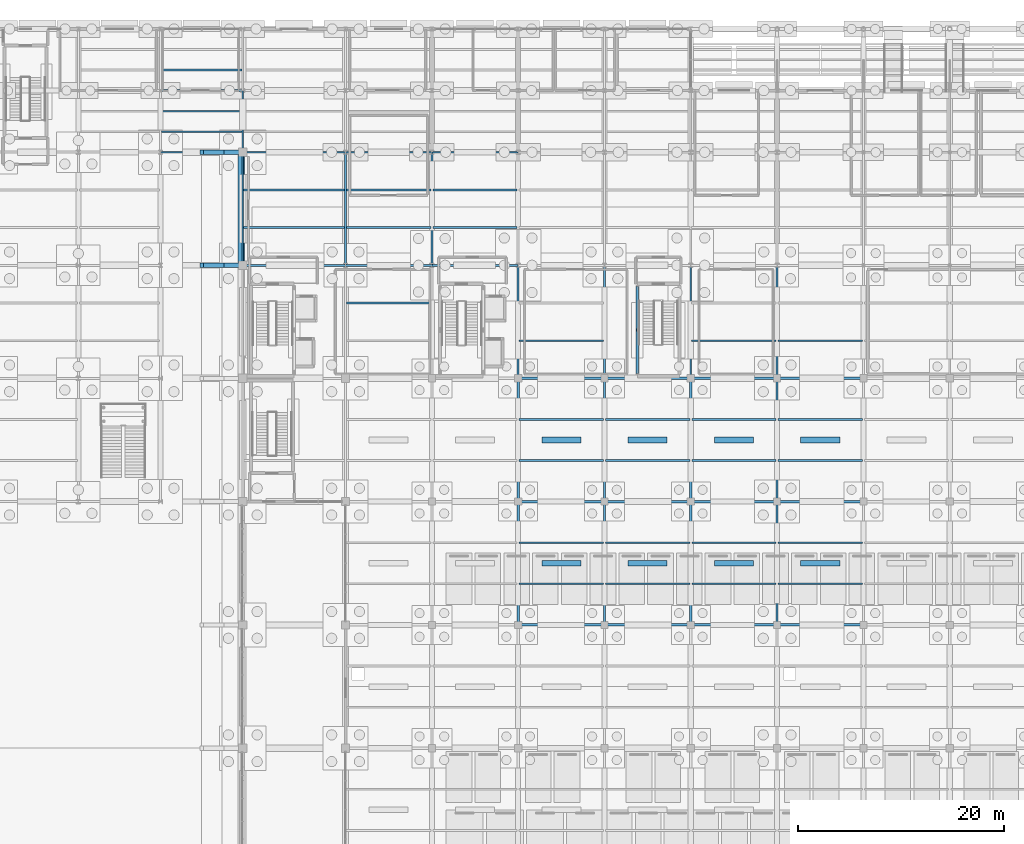
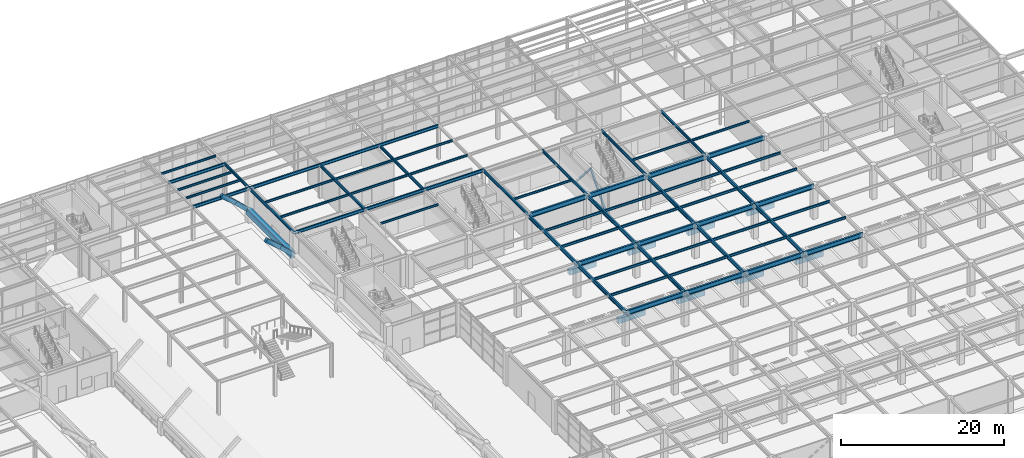
# One storey, part 60 of 129: 78 beams, 2 members.
"""IFC4 building model written with IfcOpenShell, lengths in metres."""

from ifc_helpers import new_model, si_unit, direction, frame, origin, origin_2d, place, context, subcontext, project, spatial, rectangle, hollow_rectangle, i_section, extrude, material, material_profile, profile_set, type_object, element, save


model = new_model("IFC4")

# Units and contexts
model_context = context("Model", 3, precision=1e-05, world=origin(), true_north=direction((0.0, 1.0)))
body_context = subcontext(model_context, "Body", "Model", "MODEL_VIEW")
ifc_project = project(units=[si_unit("LENGTHUNIT", "METRE"), si_unit("AREAUNIT", "SQUARE_METRE"), si_unit("VOLUMEUNIT", "CUBIC_METRE"), si_unit("PLANEANGLEUNIT", "RADIAN"), si_unit("MASSUNIT", "GRAM", prefix="KILO")], contexts=[model_context])

# Site, building, storey
site_placement = place(None, origin())
site = spatial("IfcSite", under=ifc_project, at=site_placement, CompositionType="ELEMENT")
building_placement = place(site_placement, origin())
building = spatial("IfcBuilding", under=site, at=building_placement, Name="Sitalva Quay Ferry Terminal", CompositionType="ELEMENT")
storey_placement = place(building_placement, origin())
storey = spatial("IfcBuildingStorey", under=building, at=storey_placement, Name="L01", CompositionType="ELEMENT", Elevation=0.0)

# Beams
ifc_material_1 = material(Name="Concrete C40/50", Category="concrete")
ifc_material_profile_1 = material_profile(ifc_material_1, rectangle(XDim=0.39990234375, YDim=0.550048828125, at=origin_2d()), Name="RC400x550")
ifc_profile_set_1 = profile_set([ifc_material_profile_1], Name="Concrete C40/50")
beam_type_1 = type_object("IfcBeamType", Name="Beam_Arch_RC400x550", PredefinedType="BEAM", material=ifc_profile_set_1)
beam_1_placement = place(storey_placement, frame((70.0, 89.0, 5.219482421875), z_axis=(0.760297282494, 0.0, -0.649575278342), x_axis=(0.0, 1.0, 0.0)))
element("IfcBeam", 1, at=beam_1_placement, inside=storey, type_object=beam_type_1, Name="Vault V1 transverse arch rib 8.15", PredefinedType="BEAM", context=body_context, shape_type="SweptSolid", body=[
    extrude(rectangle(XDim=0.39990234375, YDim=0.550048828125, at=origin_2d()), origin(), (0.0, 0.0, 1.0), 2.630615234375),
])
beam_2_placement = place(storey_placement, frame((72.0, 89.0, 3.500732421875), z_axis=(0.725680279623, 0.0, -0.688032071757), x_axis=(0.0, 1.0, 0.0)))
element("IfcBeam", 2, at=beam_2_placement, inside=storey, type_object=beam_type_1, Name="Vault V1 transverse arch rib 8.16", PredefinedType="BEAM", context=body_context, shape_type="SweptSolid", body=[
    extrude(rectangle(XDim=0.39990234375, YDim=0.550048828125, at=origin_2d()), origin(), (0.0, 0.0, 1.0), 2.756103515625),
])
beam_3_placement = place(storey_placement, frame((70.0, 100.0, 5.219482421875), z_axis=(0.760297282494, 0.0, -0.649575278342), x_axis=(0.0, 1.0, 0.0)))
element("IfcBeam", 3, at=beam_3_placement, inside=storey, type_object=beam_type_1, Name="Vault V1 transverse arch rib 9.15", PredefinedType="BEAM", context=body_context, shape_type="SweptSolid", body=[
    extrude(rectangle(XDim=0.39990234375, YDim=0.550048828125, at=origin_2d()), origin(), (0.0, 0.0, 1.0), 2.630615234375),
])
beam_4_placement = place(storey_placement, frame((72.0, 100.0, 3.500732421875), z_axis=(0.725680279623, 0.0, -0.688032071757), x_axis=(0.0, 1.0, 0.0)))
element("IfcBeam", 4, at=beam_4_placement, inside=storey, type_object=beam_type_1, Name="Vault V1 transverse arch rib 9.16", PredefinedType="BEAM", context=body_context, shape_type="SweptSolid", body=[
    extrude(rectangle(XDim=0.39990234375, YDim=0.550048828125, at=origin_2d()), origin(), (0.0, 0.0, 1.0), 2.756103515625),
])
ifc_material_2 = material(Name="Concrete C40/50", Category="concrete")
ifc_material_profile_2 = material_profile(ifc_material_2, rectangle(XDim=0.60009765625, YDim=0.949951171875, at=origin_2d()), Name="RC600x950")
ifc_profile_set_2 = profile_set([ifc_material_profile_2], Name="Concrete C40/50")
beam_type_2 = type_object("IfcBeamType", Name="Beam_Edge_RC600x950", PredefinedType="BEAM", material=ifc_profile_set_2)
beam_5_placement = place(storey_placement, frame((73.85009765625, 89.0, 1.625), z_axis=(0.0, 1.0, 0.0), x_axis=(-1.0, 0.0, 0.0)))
element("IfcBeam", 5, at=beam_5_placement, inside=storey, type_object=beam_type_2, Name="Vault V1 longitudinal springing edge beam E bay 8", PredefinedType="BEAM", context=body_context, shape_type="SweptSolid", body=[
    extrude(rectangle(XDim=0.60009765625, YDim=0.949951171875, at=origin_2d()), origin(), (0.0, 0.0, 1.0), 11.0),
])
ifc_material_3 = material(Name="Structural Steel S355JR", Category="steel")
ifc_material_profile_3 = material_profile(ifc_material_3, i_section(OverallWidth=0.180908203125, OverallDepth=0.4169921875, WebThickness=0.010986328125, FlangeThickness=0.018310546875, FilletRadius=0.012939453125, at=origin_2d()), Name="W410x85")
ifc_profile_set_3 = profile_set([ifc_material_profile_3], Name="Structural Steel S355JR")
beam_type_3 = type_object("IfcBeamType", Name="Beam_W410x85", PredefinedType="BEAM", material=ifc_profile_set_3)
beam_6_placement = place(storey_placement, frame((74.0, 89.0, 4.91162109375), z_axis=(0.0, 1.0, 0.0), x_axis=(-1.0, 0.0, 0.0)))
element("IfcBeam", 6, at=beam_6_placement, inside=storey, type_object=beam_type_3, Name="L01 Primary Y girder 0525", PredefinedType="BEAM", context=body_context, shape_type="SweptSolid", body=[
    extrude(i_section(OverallWidth=0.180908203125, OverallDepth=0.4169921875, WebThickness=0.010986328125, FlangeThickness=0.018310546875, FilletRadius=0.012939453125, at=origin_2d()), origin(), (0.0, 0.0, 1.0), 11.0),
])
beam_7_placement = place(storey_placement, frame((74.0, 100.0, 4.91162109375), z_axis=(0.0, 1.0, 0.0), x_axis=(-1.0, 0.0, 0.0)))
element("IfcBeam", 7, at=beam_7_placement, inside=storey, type_object=beam_type_3, Name="L01 Primary Y girder 0526", PredefinedType="BEAM", context=body_context, shape_type="SweptSolid", body=[
    extrude(i_section(OverallWidth=0.180908203125, OverallDepth=0.4169921875, WebThickness=0.010986328125, FlangeThickness=0.018310546875, FilletRadius=0.012939453125, at=origin_2d()), origin(), (0.0, 0.0, 1.0), 6.0),
])
for number, where, z_axis, x_axis, name in (
    (8, (84.0, 89.0, 4.91162109375), (0.0, 1.0, 0.0), (-1.0, 0.0, 0.0), "L01 Primary Y girder 0528"),
    (9, (92.39990234375, 89.0, 4.91162109375), (0.0, 1.0, 0.0), (-1.0, 0.0, 0.0), "L01 Primary Y girder 0531"),
    (10, (100.800048828125, 78.0, 4.91162109375), (0.0, 1.0, 0.0), (-1.0, 0.0, 0.0), "L01 Primary Y girder 0533"),
    (11, (109.199951171875, 78.0, 4.91162109375), (0.0, 1.0, 0.0), (-1.0, 0.0, 0.0), "L01 Primary Y girder 0536"),
    (12, (117.60009765625, 78.0, 4.91162109375), (0.0, 1.0, 0.0), (-1.0, 0.0, 0.0), "L01 Primary Y girder 0539"),
    (13, (126.0, 78.0, 4.91162109375), (0.0, 1.0, 0.0), (-1.0, 0.0, 0.0), "L01 Primary Y girder 0542"),
):
    element("IfcBeam", number, at=place(storey_placement, frame(where, z_axis=z_axis, x_axis=x_axis)), inside=storey, type_object=beam_type_3, Name=name, PredefinedType="BEAM", context=body_context, shape_type="SweptSolid", body=[
        extrude(i_section(OverallWidth=0.180908203125, OverallDepth=0.4169921875, WebThickness=0.010986328125, FlangeThickness=0.018310546875, FilletRadius=0.012939453125, at=origin_2d()), origin(), (0.0, 0.0, 1.0), 11.0),
    ])
ifc_material_4 = material(Name="Structural Steel S355JR", Category="steel")
ifc_material_profile_4 = material_profile(ifc_material_4, i_section(OverallWidth=0.19091796875, OverallDepth=0.4599609375, WebThickness=0.010009765625, FlangeThickness=0.01611328125, FilletRadius=0.013916015625, at=origin_2d()), Name="W460x82")
ifc_profile_set_4 = profile_set([ifc_material_profile_4], Name="Structural Steel S355JR")
beam_type_4 = type_object("IfcBeamType", Name="Beam_W460x82", PredefinedType="BEAM", material=ifc_profile_set_4)
beam_8_placement = place(storey_placement, frame((74.0, 89.0, 4.889892578125), z_axis=(1.0, 0.0, 0.0), x_axis=(0.0, 1.0, 0.0)))
element("IfcBeam", 14, at=beam_8_placement, inside=storey, type_object=beam_type_4, Name="L01 Primary X girder 0491", PredefinedType="BEAM", context=body_context, shape_type="SweptSolid", body=[
    extrude(i_section(OverallWidth=0.19091796875, OverallDepth=0.4599609375, WebThickness=0.010009765625, FlangeThickness=0.01611328125, FilletRadius=0.013916015625, at=origin_2d()), origin(), (0.0, 0.0, 1.0), 10.0),
])
beam_9_placement = place(storey_placement, frame((84.0, 89.0, 4.889892578125), z_axis=(1.0, 0.0, 0.0), x_axis=(0.0, 1.0, 0.0)))
element("IfcBeam", 15, at=beam_9_placement, inside=storey, type_object=beam_type_4, Name="L01 Primary X girder 0492", PredefinedType="BEAM", context=body_context, shape_type="SweptSolid", body=[
    extrude(i_section(OverallWidth=0.19091796875, OverallDepth=0.4599609375, WebThickness=0.010009765625, FlangeThickness=0.01611328125, FilletRadius=0.013916015625, at=origin_2d()), origin(), (0.0, 0.0, 1.0), 8.39990234375),
])
beam_10_placement = place(storey_placement, frame((92.39990234375, 89.0, 4.889892578125), z_axis=(1.0, 0.0, 0.0), x_axis=(0.0, 1.0, 0.0)))
element("IfcBeam", 16, at=beam_10_placement, inside=storey, type_object=beam_type_4, Name="L01 Primary X girder 0493", PredefinedType="BEAM", context=body_context, shape_type="SweptSolid", body=[
    extrude(i_section(OverallWidth=0.19091796875, OverallDepth=0.4599609375, WebThickness=0.010009765625, FlangeThickness=0.01611328125, FilletRadius=0.013916015625, at=origin_2d()), origin(), (0.0, 0.0, 1.0), 8.400146484375),
])
beam_11_placement = place(storey_placement, frame((74.0, 100.0, 4.889892578125), z_axis=(1.0, 0.0, 0.0), x_axis=(0.0, 1.0, 0.0)))
element("IfcBeam", 17, at=beam_11_placement, inside=storey, type_object=beam_type_4, Name="L01 Primary X girder 0502", PredefinedType="BEAM", context=body_context, shape_type="SweptSolid", body=[
    extrude(i_section(OverallWidth=0.19091796875, OverallDepth=0.4599609375, WebThickness=0.010009765625, FlangeThickness=0.01611328125, FilletRadius=0.013916015625, at=origin_2d()), origin(), (0.0, 0.0, 1.0), 10.0),
])
beam_12_placement = place(storey_placement, frame((84.0, 100.0, 4.889892578125), z_axis=(1.0, 0.0, 0.0), x_axis=(0.0, 1.0, 0.0)))
element("IfcBeam", 18, at=beam_12_placement, inside=storey, type_object=beam_type_4, Name="L01 Primary X girder 0503", PredefinedType="BEAM", context=body_context, shape_type="SweptSolid", body=[
    extrude(i_section(OverallWidth=0.19091796875, OverallDepth=0.4599609375, WebThickness=0.010009765625, FlangeThickness=0.01611328125, FilletRadius=0.013916015625, at=origin_2d()), origin(), (0.0, 0.0, 1.0), 8.39990234375),
])
beam_13_placement = place(storey_placement, frame((92.39990234375, 100.0, 4.889892578125), z_axis=(1.0, 0.0, 0.0), x_axis=(0.0, 1.0, 0.0)))
element("IfcBeam", 19, at=beam_13_placement, inside=storey, type_object=beam_type_4, Name="L01 Primary X girder 0504", PredefinedType="BEAM", context=body_context, shape_type="SweptSolid", body=[
    extrude(i_section(OverallWidth=0.19091796875, OverallDepth=0.4599609375, WebThickness=0.010009765625, FlangeThickness=0.01611328125, FilletRadius=0.013916015625, at=origin_2d()), origin(), (0.0, 0.0, 1.0), 8.400146484375),
])
for number, where, z_axis, x_axis, name in (
    (20, (66.0, 100.0, 4.889892578125), (1.0, 0.0, 0.0), (0.0, 1.0, 0.0), "L01 Primary X girder 0619"),
    (21, (66.0, 106.0, 4.889892578125), (1.0, 0.0, 0.0), (0.0, 1.0, 0.0), "L01 Primary X girder 0622"),
):
    element("IfcBeam", number, at=place(storey_placement, frame(where, z_axis=z_axis, x_axis=x_axis)), inside=storey, type_object=beam_type_4, Name=name, PredefinedType="BEAM", context=body_context, shape_type="SweptSolid", body=[
        extrude(i_section(OverallWidth=0.19091796875, OverallDepth=0.4599609375, WebThickness=0.010009765625, FlangeThickness=0.01611328125, FilletRadius=0.013916015625, at=origin_2d()), origin(), (0.0, 0.0, 1.0), 8.0),
    ])

# Members
ifc_material_5 = material(Name="Structural Steel S355JR", Category="steel")
ifc_material_profile_5 = material_profile(ifc_material_5, hollow_rectangle(XDim=0.25, YDim=0.25, WallThickness=0.012451171875, InnerFilletRadius=0.012451171875, OuterFilletRadius=0.02490234375, at=origin_2d()), Name="SHS250x250x12.5")
ifc_profile_set_5 = profile_set([ifc_material_profile_5], Name="Structural Steel S355JR")
member_type = type_object("IfcMemberType", Name="Brace_SHS250x12", PredefinedType="BRACE", material=ifc_profile_set_5)
member_1_placement = place(storey_placement, frame((112.39990234375, 78.550048828125, 0.14990234375), z_axis=(0.0, 0.657934438932, 0.753075211428), x_axis=(-1.0, 0.0, 0.0)))
element("IfcMember", 22, at=member_1_placement, inside=storey, type_object=member_type, Name="Braced frame BF5 L01 chevron A", PredefinedType="BRACE", context=body_context, shape_type="SweptSolid", body=[
    extrude(hollow_rectangle(XDim=0.25, YDim=0.25, WallThickness=0.012451171875, InnerFilletRadius=0.012451171875, OuterFilletRadius=0.02490234375, at=origin_2d()), origin(), (0.0, 0.0, 1.0), 6.307373046875),
])
member_2_placement = place(storey_placement, frame((112.39990234375, 82.699951171875, 4.89990234375), z_axis=(0.0, 0.657956389457, -0.753056033488), x_axis=(-1.0, 0.0, 0.0)))
element("IfcMember", 23, at=member_2_placement, inside=storey, type_object=member_type, Name="Braced frame BF5 L01 chevron B", PredefinedType="BRACE", context=body_context, shape_type="SweptSolid", body=[
    extrude(hollow_rectangle(XDim=0.25, YDim=0.25, WallThickness=0.012451171875, InnerFilletRadius=0.012451171875, OuterFilletRadius=0.02490234375, at=origin_2d()), origin(), (0.0, 0.0, 1.0), 6.3076171875),
])

# Beams
ifc_material_6 = material(Name="Structural Steel S355JR", Category="steel")
ifc_material_profile_6 = material_profile(ifc_material_6, i_section(OverallWidth=0.2119140625, OverallDepth=0.5439453125, WebThickness=0.01318359375, FlangeThickness=0.021240234375, FilletRadius=0.014892578125, at=origin_2d()), Name="W530x123")
ifc_profile_set_6 = profile_set([ifc_material_profile_6], Name="Structural Steel S355JR")
beam_type_5 = type_object("IfcBeamType", Name="Girder_W530x123", PredefinedType="USERDEFINED", material=ifc_profile_set_6)
for number, where, z_axis, x_axis, name in (
    (24, (100.800048828125, 54.0, 4.80810546875), (0.0, 1.0, 0.0), (-1.0, 0.0, 0.0), "L01 Primary Y girder 0298"),
    (25, (100.800048828125, 66.0, 4.80810546875), (0.0, 1.0, 0.0), (-1.0, 0.0, 0.0), "L01 Primary Y girder 0299"),
    (26, (109.199951171875, 54.0, 4.80810546875), (0.0, 1.0, 0.0), (-1.0, 0.0, 0.0), "L01 Primary Y girder 0303"),
    (27, (109.199951171875, 66.0, 4.80810546875), (0.0, 1.0, 0.0), (-1.0, 0.0, 0.0), "L01 Primary Y girder 0304"),
    (28, (117.60009765625, 54.0, 4.80810546875), (0.0, 1.0, 0.0), (-1.0, 0.0, 0.0), "L01 Primary Y girder 0308"),
    (29, (117.60009765625, 66.0, 4.80810546875), (0.0, 1.0, 0.0), (-1.0, 0.0, 0.0), "L01 Primary Y girder 0309"),
    (30, (126.0, 54.0, 4.80810546875), (0.0, 1.0, 0.0), (-1.0, 0.0, 0.0), "L01 Primary Y girder 0313"),
    (31, (126.0, 66.0, 4.80810546875), (0.0, 1.0, 0.0), (-1.0, 0.0, 0.0), "L01 Primary Y girder 0314"),
):
    element("IfcBeam", number, at=place(storey_placement, frame(where, z_axis=z_axis, x_axis=x_axis)), inside=storey, type_object=beam_type_5, Name=name, ObjectType="GIRDER", PredefinedType="USERDEFINED", context=body_context, shape_type="SweptSolid", body=[
        extrude(i_section(OverallWidth=0.2119140625, OverallDepth=0.5439453125, WebThickness=0.01318359375, FlangeThickness=0.021240234375, FilletRadius=0.014892578125, at=origin_2d()), origin(), (0.0, 0.0, 1.0), 12.0),
    ])
ifc_material_7 = material(Name="Structural Steel S355JR", Category="steel")
ifc_material_profile_7 = material_profile(ifc_material_7, i_section(OverallWidth=0.256103515625, OverallDepth=0.693115234375, WebThickness=0.014404296875, FlangeThickness=0.023681640625, FilletRadius=0.01806640625, at=origin_2d()), Name="W690x170")
ifc_profile_set_7 = profile_set([ifc_material_profile_7], Name="Structural Steel S355JR")
beam_type_6 = type_object("IfcBeamType", Name="Girder_W690x170", PredefinedType="USERDEFINED", material=ifc_profile_set_7)
beam_14_placement = place(storey_placement, frame((100.800048828125, 54.0, 4.7333984375), z_axis=(1.0, 0.0, 0.0), x_axis=(0.0, 1.0, 0.0)))
element("IfcBeam", 32, at=beam_14_placement, inside=storey, type_object=beam_type_6, Name="L01 Primary X girder 0259", ObjectType="GIRDER", PredefinedType="USERDEFINED", context=body_context, shape_type="SweptSolid", body=[
    extrude(i_section(OverallWidth=0.256103515625, OverallDepth=0.693115234375, WebThickness=0.014404296875, FlangeThickness=0.023681640625, FilletRadius=0.01806640625, at=origin_2d()), origin(), (0.0, 0.0, 1.0), 8.39990234375),
])
beam_15_placement = place(storey_placement, frame((109.199951171875, 54.0, 4.7333984375), z_axis=(1.0, 0.0, 0.0), x_axis=(0.0, 1.0, 0.0)))
element("IfcBeam", 33, at=beam_15_placement, inside=storey, type_object=beam_type_6, Name="L01 Primary X girder 0260", ObjectType="GIRDER", PredefinedType="USERDEFINED", context=body_context, shape_type="SweptSolid", body=[
    extrude(i_section(OverallWidth=0.256103515625, OverallDepth=0.693115234375, WebThickness=0.014404296875, FlangeThickness=0.023681640625, FilletRadius=0.01806640625, at=origin_2d()), origin(), (0.0, 0.0, 1.0), 8.400146484375),
])
for number, where, z_axis, x_axis, name in (
    (34, (117.60009765625, 54.0, 4.7333984375), (1.0, 0.0, 0.0), (0.0, 1.0, 0.0), "L01 Primary X girder 0261"),
    (35, (126.0, 54.0, 4.7333984375), (1.0, 0.0, 0.0), (0.0, 1.0, 0.0), "L01 Primary X girder 0262"),
    (36, (100.800048828125, 66.0, 4.7333984375), (1.0, 0.0, 0.0), (0.0, 1.0, 0.0), "L01 Primary X girder 0269"),
):
    element("IfcBeam", number, at=place(storey_placement, frame(where, z_axis=z_axis, x_axis=x_axis)), inside=storey, type_object=beam_type_6, Name=name, ObjectType="GIRDER", PredefinedType="USERDEFINED", context=body_context, shape_type="SweptSolid", body=[
        extrude(i_section(OverallWidth=0.256103515625, OverallDepth=0.693115234375, WebThickness=0.014404296875, FlangeThickness=0.023681640625, FilletRadius=0.01806640625, at=origin_2d()), origin(), (0.0, 0.0, 1.0), 8.39990234375),
    ])
beam_16_placement = place(storey_placement, frame((109.199951171875, 66.0, 4.7333984375), z_axis=(1.0, 0.0, 0.0), x_axis=(0.0, 1.0, 0.0)))
element("IfcBeam", 37, at=beam_16_placement, inside=storey, type_object=beam_type_6, Name="L01 Primary X girder 0270", ObjectType="GIRDER", PredefinedType="USERDEFINED", context=body_context, shape_type="SweptSolid", body=[
    extrude(i_section(OverallWidth=0.256103515625, OverallDepth=0.693115234375, WebThickness=0.014404296875, FlangeThickness=0.023681640625, FilletRadius=0.01806640625, at=origin_2d()), origin(), (0.0, 0.0, 1.0), 8.400146484375),
])
for number, where, z_axis, x_axis, name in (
    (38, (117.60009765625, 66.0, 4.7333984375), (1.0, 0.0, 0.0), (0.0, 1.0, 0.0), "L01 Primary X girder 0271"),
    (39, (126.0, 66.0, 4.7333984375), (1.0, 0.0, 0.0), (0.0, 1.0, 0.0), "L01 Primary X girder 0272"),
    (40, (100.800048828125, 78.0, 4.7333984375), (1.0, 0.0, 0.0), (0.0, 1.0, 0.0), "L01 Primary X girder 0279"),
):
    element("IfcBeam", number, at=place(storey_placement, frame(where, z_axis=z_axis, x_axis=x_axis)), inside=storey, type_object=beam_type_6, Name=name, ObjectType="GIRDER", PredefinedType="USERDEFINED", context=body_context, shape_type="SweptSolid", body=[
        extrude(i_section(OverallWidth=0.256103515625, OverallDepth=0.693115234375, WebThickness=0.014404296875, FlangeThickness=0.023681640625, FilletRadius=0.01806640625, at=origin_2d()), origin(), (0.0, 0.0, 1.0), 8.39990234375),
    ])
beam_17_placement = place(storey_placement, frame((109.199951171875, 78.0, 4.7333984375), z_axis=(1.0, 0.0, 0.0), x_axis=(0.0, 1.0, 0.0)))
element("IfcBeam", 41, at=beam_17_placement, inside=storey, type_object=beam_type_6, Name="L01 Primary X girder 0280", ObjectType="GIRDER", PredefinedType="USERDEFINED", context=body_context, shape_type="SweptSolid", body=[
    extrude(i_section(OverallWidth=0.256103515625, OverallDepth=0.693115234375, WebThickness=0.014404296875, FlangeThickness=0.023681640625, FilletRadius=0.01806640625, at=origin_2d()), origin(), (0.0, 0.0, 1.0), 8.400146484375),
])
for number, where, z_axis, x_axis, name in (
    (42, (117.60009765625, 78.0, 4.7333984375), (1.0, 0.0, 0.0), (0.0, 1.0, 0.0), "L01 Primary X girder 0281"),
    (43, (126.0, 78.0, 4.7333984375), (1.0, 0.0, 0.0), (0.0, 1.0, 0.0), "L01 Primary X girder 0282"),
):
    element("IfcBeam", number, at=place(storey_placement, frame(where, z_axis=z_axis, x_axis=x_axis)), inside=storey, type_object=beam_type_6, Name=name, ObjectType="GIRDER", PredefinedType="USERDEFINED", context=body_context, shape_type="SweptSolid", body=[
        extrude(i_section(OverallWidth=0.256103515625, OverallDepth=0.693115234375, WebThickness=0.014404296875, FlangeThickness=0.023681640625, FilletRadius=0.01806640625, at=origin_2d()), origin(), (0.0, 0.0, 1.0), 8.39990234375),
    ])
ifc_material_8 = material(Name="Structural Steel S355JR", Category="steel")
ifc_material_profile_8 = material_profile(ifc_material_8, i_section(OverallWidth=0.166015625, OverallDepth=0.31298828125, WebThickness=0.006591796875, FlangeThickness=0.01123046875, FilletRadius=0.010986328125, at=origin_2d()), Name="W310x45")
ifc_profile_set_8 = profile_set([ifc_material_profile_8], Name="Structural Steel S355JR")
beam_type_7 = type_object("IfcBeamType", Name="Joist_W310x45", PredefinedType="JOIST", material=ifc_profile_set_8)
beam_18_placement = place(storey_placement, frame((100.890380859375, 81.666748046875, 4.96337890625), z_axis=(1.0, 0.0, 0.0), x_axis=(0.0, 1.0, 0.0)))
element("IfcBeam", 44, at=beam_18_placement, inside=storey, type_object=beam_type_7, Name="L01 Secondary joist 0561", PredefinedType="JOIST", context=body_context, shape_type="SweptSolid", body=[
    extrude(i_section(OverallWidth=0.166015625, OverallDepth=0.31298828125, WebThickness=0.006591796875, FlangeThickness=0.01123046875, FilletRadius=0.010986328125, at=origin_2d()), origin(), (0.0, 0.0, 1.0), 8.21923828125),
])
for number, where, z_axis, x_axis, name in (
    (45, (117.6904296875, 81.666748046875, 4.96337890625), (1.0, 0.0, 0.0), (0.0, 1.0, 0.0), "L01 Secondary joist 0562"),
    (46, (126.090576171875, 81.666748046875, 4.96337890625), (1.0, 0.0, 0.0), (0.0, 1.0, 0.0), "L01 Secondary joist 0563"),
    (47, (84.090576171875, 85.333251953125, 4.96337890625), (1.0, 0.0, 0.0), (0.0, 1.0, 0.0), "L01 Secondary joist 0567"),
):
    element("IfcBeam", number, at=place(storey_placement, frame(where, z_axis=z_axis, x_axis=x_axis)), inside=storey, type_object=beam_type_7, Name=name, PredefinedType="JOIST", context=body_context, shape_type="SweptSolid", body=[
        extrude(i_section(OverallWidth=0.166015625, OverallDepth=0.31298828125, WebThickness=0.006591796875, FlangeThickness=0.01123046875, FilletRadius=0.010986328125, at=origin_2d()), origin(), (0.0, 0.0, 1.0), 8.218994140625),
    ])
beam_19_placement = place(storey_placement, frame((74.090576171875, 92.666748046875, 4.96337890625), z_axis=(1.0, 0.0, 0.0), x_axis=(0.0, 1.0, 0.0)))
element("IfcBeam", 48, at=beam_19_placement, inside=storey, type_object=beam_type_7, Name="L01 Secondary joist 0574", PredefinedType="JOIST", context=body_context, shape_type="SweptSolid", body=[
    extrude(i_section(OverallWidth=0.166015625, OverallDepth=0.31298828125, WebThickness=0.006591796875, FlangeThickness=0.01123046875, FilletRadius=0.010986328125, at=origin_2d()), origin(), (0.0, 0.0, 1.0), 9.81884765625),
])
for number, where, z_axis, x_axis, name in (
    (49, (84.090576171875, 92.666748046875, 4.96337890625), (1.0, 0.0, 0.0), (0.0, 1.0, 0.0), "L01 Secondary joist 0575"),
    (50, (92.490478515625, 92.666748046875, 4.96337890625), (1.0, 0.0, 0.0), (0.0, 1.0, 0.0), "L01 Secondary joist 0576"),
):
    element("IfcBeam", number, at=place(storey_placement, frame(where, z_axis=z_axis, x_axis=x_axis)), inside=storey, type_object=beam_type_7, Name=name, PredefinedType="JOIST", context=body_context, shape_type="SweptSolid", body=[
        extrude(i_section(OverallWidth=0.166015625, OverallDepth=0.31298828125, WebThickness=0.006591796875, FlangeThickness=0.01123046875, FilletRadius=0.010986328125, at=origin_2d()), origin(), (0.0, 0.0, 1.0), 8.218994140625),
    ])
beam_20_placement = place(storey_placement, frame((74.090576171875, 96.333251953125, 4.96337890625), z_axis=(1.0, 0.0, 0.0), x_axis=(0.0, 1.0, 0.0)))
element("IfcBeam", 51, at=beam_20_placement, inside=storey, type_object=beam_type_7, Name="L01 Secondary joist 0585", PredefinedType="JOIST", context=body_context, shape_type="SweptSolid", body=[
    extrude(i_section(OverallWidth=0.166015625, OverallDepth=0.31298828125, WebThickness=0.006591796875, FlangeThickness=0.01123046875, FilletRadius=0.010986328125, at=origin_2d()), origin(), (0.0, 0.0, 1.0), 9.81884765625),
])
for number, where, z_axis, x_axis, name in (
    (52, (84.090576171875, 96.333251953125, 4.96337890625), (1.0, 0.0, 0.0), (0.0, 1.0, 0.0), "L01 Secondary joist 0586"),
    (53, (92.490478515625, 96.333251953125, 4.96337890625), (1.0, 0.0, 0.0), (0.0, 1.0, 0.0), "L01 Secondary joist 0587"),
):
    element("IfcBeam", number, at=place(storey_placement, frame(where, z_axis=z_axis, x_axis=x_axis)), inside=storey, type_object=beam_type_7, Name=name, PredefinedType="JOIST", context=body_context, shape_type="SweptSolid", body=[
        extrude(i_section(OverallWidth=0.166015625, OverallDepth=0.31298828125, WebThickness=0.006591796875, FlangeThickness=0.01123046875, FilletRadius=0.010986328125, at=origin_2d()), origin(), (0.0, 0.0, 1.0), 8.218994140625),
    ])
for number, where, z_axis, x_axis, name in (
    (54, (66.090576171875, 102.0, 4.96337890625), (1.0, 0.0, 0.0), (0.0, 1.0, 0.0), "L01 Secondary joist 0647"),
    (55, (66.090576171875, 104.0, 4.96337890625), (1.0, 0.0, 0.0), (0.0, 1.0, 0.0), "L01 Secondary joist 0650"),
    (56, (66.090576171875, 108.0, 4.96337890625), (1.0, 0.0, 0.0), (0.0, 1.0, 0.0), "L01 Secondary joist 0653"),
):
    element("IfcBeam", number, at=place(storey_placement, frame(where, z_axis=z_axis, x_axis=x_axis)), inside=storey, type_object=beam_type_7, Name=name, PredefinedType="JOIST", context=body_context, shape_type="SweptSolid", body=[
        extrude(i_section(OverallWidth=0.166015625, OverallDepth=0.31298828125, WebThickness=0.006591796875, FlangeThickness=0.01123046875, FilletRadius=0.010986328125, at=origin_2d()), origin(), (0.0, 0.0, 1.0), 7.81884765625),
    ])
ifc_material_9 = material(Name="Structural Steel S355JR", Category="steel")
ifc_material_profile_9 = material_profile(ifc_material_9, i_section(OverallWidth=0.172119140625, OverallDepth=0.35791015625, WebThickness=0.0078125, FlangeThickness=0.01318359375, FilletRadius=0.011962890625, at=origin_2d()), Name="W360x57")
ifc_profile_set_9 = profile_set([ifc_material_profile_9], Name="Structural Steel S355JR")
beam_type_8 = type_object("IfcBeamType", Name="Joist_W360x57", PredefinedType="JOIST", material=ifc_profile_set_9)
beam_21_placement = place(storey_placement, frame((100.89990234375, 58.0, 4.90087890625), z_axis=(1.0, 0.0, 0.0), x_axis=(0.0, 1.0, 0.0)))
element("IfcBeam", 57, at=beam_21_placement, inside=storey, type_object=beam_type_8, Name="L01 Secondary joist 0400", PredefinedType="JOIST", context=body_context, shape_type="SweptSolid", body=[
    extrude(i_section(OverallWidth=0.172119140625, OverallDepth=0.35791015625, WebThickness=0.0078125, FlangeThickness=0.01318359375, FilletRadius=0.011962890625, at=origin_2d()), origin(), (0.0, 0.0, 1.0), 8.2001953125),
])
for number, where, z_axis, x_axis, name in (
    (58, (109.300048828125, 58.0, 4.90087890625), (1.0, 0.0, 0.0), (0.0, 1.0, 0.0), "L01 Secondary joist 0401"),
    (59, (117.699951171875, 58.0, 4.90087890625), (1.0, 0.0, 0.0), (0.0, 1.0, 0.0), "L01 Secondary joist 0402"),
    (60, (126.10009765625, 58.0, 4.90087890625), (1.0, 0.0, 0.0), (0.0, 1.0, 0.0), "L01 Secondary joist 0403"),
):
    element("IfcBeam", number, at=place(storey_placement, frame(where, z_axis=z_axis, x_axis=x_axis)), inside=storey, type_object=beam_type_8, Name=name, PredefinedType="JOIST", context=body_context, shape_type="SweptSolid", body=[
        extrude(i_section(OverallWidth=0.172119140625, OverallDepth=0.35791015625, WebThickness=0.0078125, FlangeThickness=0.01318359375, FilletRadius=0.011962890625, at=origin_2d()), origin(), (0.0, 0.0, 1.0), 8.199951171875),
    ])
beam_22_placement = place(storey_placement, frame((100.89990234375, 62.0, 4.90087890625), z_axis=(1.0, 0.0, 0.0), x_axis=(0.0, 1.0, 0.0)))
element("IfcBeam", 61, at=beam_22_placement, inside=storey, type_object=beam_type_8, Name="L01 Secondary joist 0410", PredefinedType="JOIST", context=body_context, shape_type="SweptSolid", body=[
    extrude(i_section(OverallWidth=0.172119140625, OverallDepth=0.35791015625, WebThickness=0.0078125, FlangeThickness=0.01318359375, FilletRadius=0.011962890625, at=origin_2d()), origin(), (0.0, 0.0, 1.0), 8.2001953125),
])
for number, where, z_axis, x_axis, name in (
    (62, (109.300048828125, 62.0, 4.90087890625), (1.0, 0.0, 0.0), (0.0, 1.0, 0.0), "L01 Secondary joist 0411"),
    (63, (117.699951171875, 62.0, 4.90087890625), (1.0, 0.0, 0.0), (0.0, 1.0, 0.0), "L01 Secondary joist 0412"),
    (64, (126.10009765625, 62.0, 4.90087890625), (1.0, 0.0, 0.0), (0.0, 1.0, 0.0), "L01 Secondary joist 0413"),
):
    element("IfcBeam", number, at=place(storey_placement, frame(where, z_axis=z_axis, x_axis=x_axis)), inside=storey, type_object=beam_type_8, Name=name, PredefinedType="JOIST", context=body_context, shape_type="SweptSolid", body=[
        extrude(i_section(OverallWidth=0.172119140625, OverallDepth=0.35791015625, WebThickness=0.0078125, FlangeThickness=0.01318359375, FilletRadius=0.011962890625, at=origin_2d()), origin(), (0.0, 0.0, 1.0), 8.199951171875),
    ])
beam_23_placement = place(storey_placement, frame((100.89990234375, 70.0, 4.90087890625), z_axis=(1.0, 0.0, 0.0), x_axis=(0.0, 1.0, 0.0)))
element("IfcBeam", 65, at=beam_23_placement, inside=storey, type_object=beam_type_8, Name="L01 Secondary joist 0420", PredefinedType="JOIST", context=body_context, shape_type="SweptSolid", body=[
    extrude(i_section(OverallWidth=0.172119140625, OverallDepth=0.35791015625, WebThickness=0.0078125, FlangeThickness=0.01318359375, FilletRadius=0.011962890625, at=origin_2d()), origin(), (0.0, 0.0, 1.0), 8.2001953125),
])
for number, where, z_axis, x_axis, name in (
    (66, (109.300048828125, 70.0, 4.90087890625), (1.0, 0.0, 0.0), (0.0, 1.0, 0.0), "L01 Secondary joist 0421"),
    (67, (117.699951171875, 70.0, 4.90087890625), (1.0, 0.0, 0.0), (0.0, 1.0, 0.0), "L01 Secondary joist 0422"),
    (68, (126.10009765625, 70.0, 4.90087890625), (1.0, 0.0, 0.0), (0.0, 1.0, 0.0), "L01 Secondary joist 0423"),
):
    element("IfcBeam", number, at=place(storey_placement, frame(where, z_axis=z_axis, x_axis=x_axis)), inside=storey, type_object=beam_type_8, Name=name, PredefinedType="JOIST", context=body_context, shape_type="SweptSolid", body=[
        extrude(i_section(OverallWidth=0.172119140625, OverallDepth=0.35791015625, WebThickness=0.0078125, FlangeThickness=0.01318359375, FilletRadius=0.011962890625, at=origin_2d()), origin(), (0.0, 0.0, 1.0), 8.199951171875),
    ])
beam_24_placement = place(storey_placement, frame((100.89990234375, 74.0, 4.90087890625), z_axis=(1.0, 0.0, 0.0), x_axis=(0.0, 1.0, 0.0)))
element("IfcBeam", 69, at=beam_24_placement, inside=storey, type_object=beam_type_8, Name="L01 Secondary joist 0429", PredefinedType="JOIST", context=body_context, shape_type="SweptSolid", body=[
    extrude(i_section(OverallWidth=0.172119140625, OverallDepth=0.35791015625, WebThickness=0.0078125, FlangeThickness=0.01318359375, FilletRadius=0.011962890625, at=origin_2d()), origin(), (0.0, 0.0, 1.0), 8.2001953125),
])
for number, where, z_axis, x_axis, name in (
    (70, (109.300048828125, 74.0, 4.90087890625), (1.0, 0.0, 0.0), (0.0, 1.0, 0.0), "L01 Secondary joist 0430"),
    (71, (117.699951171875, 74.0, 4.90087890625), (1.0, 0.0, 0.0), (0.0, 1.0, 0.0), "L01 Secondary joist 0431"),
    (72, (126.10009765625, 74.0, 4.90087890625), (1.0, 0.0, 0.0), (0.0, 1.0, 0.0), "L01 Secondary joist 0432"),
):
    element("IfcBeam", number, at=place(storey_placement, frame(where, z_axis=z_axis, x_axis=x_axis)), inside=storey, type_object=beam_type_8, Name=name, PredefinedType="JOIST", context=body_context, shape_type="SweptSolid", body=[
        extrude(i_section(OverallWidth=0.172119140625, OverallDepth=0.35791015625, WebThickness=0.0078125, FlangeThickness=0.01318359375, FilletRadius=0.011962890625, at=origin_2d()), origin(), (0.0, 0.0, 1.0), 8.199951171875),
    ])
ifc_material_10 = material(Name="Concrete C35/45", Category="concrete")
ifc_material_profile_10 = material_profile(ifc_material_10, rectangle(XDim=0.550048828125, YDim=0.75, at=origin_2d()), Name="RC550x750")
ifc_profile_set_10 = profile_set([ifc_material_profile_10], Name="Concrete C35/45")
beam_type_9 = type_object("IfcBeamType", Name="TBeam_Quay_RC550x750", PredefinedType="T_BEAM", material=ifc_profile_set_10)
beam_25_placement = place(storey_placement, frame((103.10009765625, 60.0, -0.824951171875), z_axis=(1.0, 0.0, 0.0), x_axis=(0.0, 1.0, 0.0)))
element("IfcBeam", 73, at=beam_25_placement, inside=storey, type_object=beam_type_9, Name="L01 Ro-Ro quay deck T-beam 0091", PredefinedType="T_BEAM", context=body_context, shape_type="SweptSolid", body=[
    extrude(rectangle(XDim=0.550048828125, YDim=0.75, at=origin_2d()), origin(), (0.0, 0.0, 1.0), 3.7998046875),
])
for number, where, z_axis, x_axis, name in (
    (74, (111.5, 60.0, -0.824951171875), (1.0, 0.0, 0.0), (0.0, 1.0, 0.0), "L01 Ro-Ro quay deck T-beam 0092"),
    (75, (119.89990234375, 60.0, -0.824951171875), (1.0, 0.0, 0.0), (0.0, 1.0, 0.0), "L01 Ro-Ro quay deck T-beam 0093"),
    (76, (128.300048828125, 60.0, -0.824951171875), (1.0, 0.0, 0.0), (0.0, 1.0, 0.0), "L01 Ro-Ro quay deck T-beam 0094"),
):
    element("IfcBeam", number, at=place(storey_placement, frame(where, z_axis=z_axis, x_axis=x_axis)), inside=storey, type_object=beam_type_9, Name=name, PredefinedType="T_BEAM", context=body_context, shape_type="SweptSolid", body=[
        extrude(rectangle(XDim=0.550048828125, YDim=0.75, at=origin_2d()), origin(), (0.0, 0.0, 1.0), 3.800048828125),
    ])
beam_26_placement = place(storey_placement, frame((103.10009765625, 72.0, -0.824951171875), z_axis=(1.0, 0.0, 0.0), x_axis=(0.0, 1.0, 0.0)))
element("IfcBeam", 77, at=beam_26_placement, inside=storey, type_object=beam_type_9, Name="L01 Ro-Ro quay deck T-beam 0104", PredefinedType="T_BEAM", context=body_context, shape_type="SweptSolid", body=[
    extrude(rectangle(XDim=0.550048828125, YDim=0.75, at=origin_2d()), origin(), (0.0, 0.0, 1.0), 3.7998046875),
])
for number, where, z_axis, x_axis, name in (
    (78, (111.5, 72.0, -0.824951171875), (1.0, 0.0, 0.0), (0.0, 1.0, 0.0), "L01 Ro-Ro quay deck T-beam 0105"),
    (79, (119.89990234375, 72.0, -0.824951171875), (1.0, 0.0, 0.0), (0.0, 1.0, 0.0), "L01 Ro-Ro quay deck T-beam 0106"),
    (80, (128.300048828125, 72.0, -0.824951171875), (1.0, 0.0, 0.0), (0.0, 1.0, 0.0), "L01 Ro-Ro quay deck T-beam 0107"),
):
    element("IfcBeam", number, at=place(storey_placement, frame(where, z_axis=z_axis, x_axis=x_axis)), inside=storey, type_object=beam_type_9, Name=name, PredefinedType="T_BEAM", context=body_context, shape_type="SweptSolid", body=[
        extrude(rectangle(XDim=0.550048828125, YDim=0.75, at=origin_2d()), origin(), (0.0, 0.0, 1.0), 3.800048828125),
    ])

save(model, "model.ifc")
